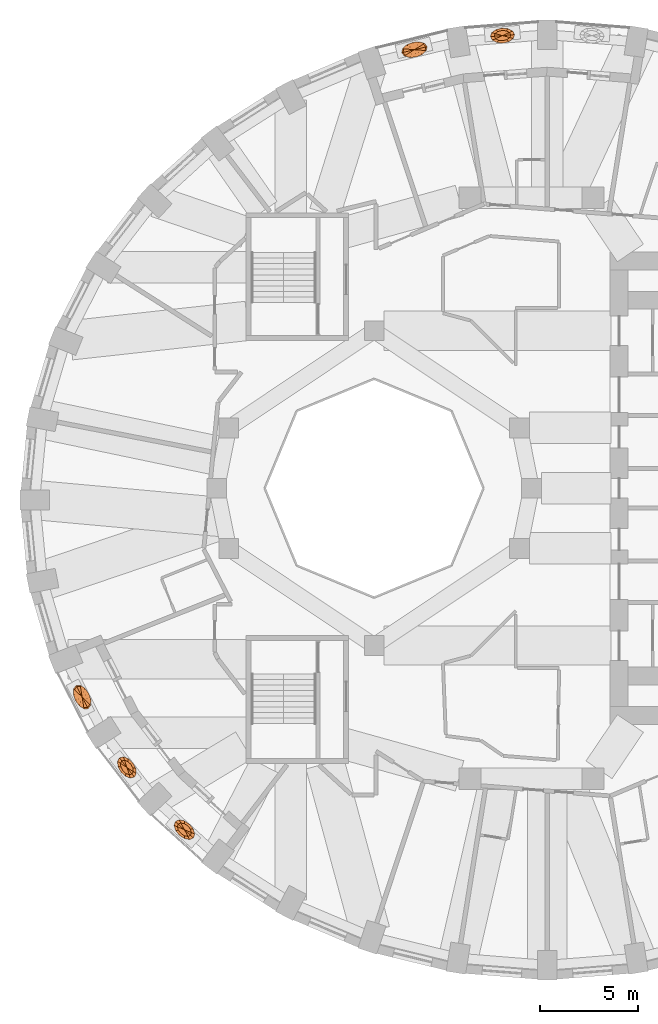
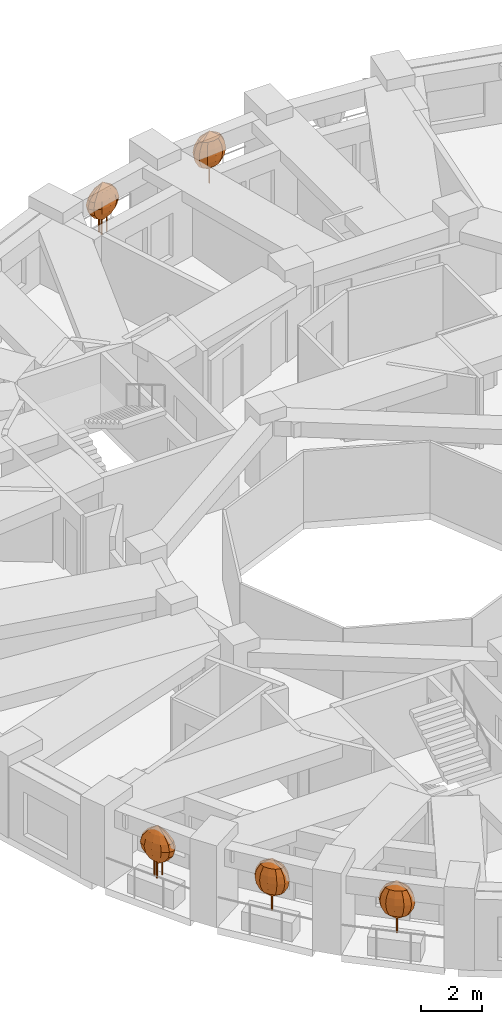
# One storey, part 11 of 12: 5 geographic elements.
"""IFC4 building model written with IfcOpenShell, lengths in metres."""

from ifc_helpers import new_model, si_unit, direction, frame, origin, place, context, subcontext, project, spatial, faceted_brep, material, constituent, constituent_set, type_object, element, save


model = new_model("IFC4")

# Units and contexts
model_context = context("Model", 3, precision=1e-05, world=origin(), true_north=direction((0.0, 1.0)))
body_context = subcontext(model_context, "Body", "Model", "MODEL_VIEW")
ifc_project = project(units=[si_unit("LENGTHUNIT", "METRE"), si_unit("AREAUNIT", "SQUARE_METRE"), si_unit("VOLUMEUNIT", "CUBIC_METRE"), si_unit("PLANEANGLEUNIT", "RADIAN"), si_unit("MASSUNIT", "GRAM", prefix="KILO")], contexts=[model_context])

# Site, building, storey
site_placement = place(None, origin())
site = spatial("IfcSite", under=ifc_project, at=site_placement, CompositionType="ELEMENT")
building_placement = place(site_placement, origin())
building = spatial("IfcBuilding", under=site, at=building_placement, Name="Taillehof Tower", CompositionType="ELEMENT")
storey_placement = place(building_placement, frame((0.0, 0.0, 131.800048828125)))
storey = spatial("IfcBuildingStorey", under=building, at=storey_placement, Name="L37", CompositionType="ELEMENT", Elevation=131.800048828125)

# Geographic elements
ifc_material_1 = material(Name="Tree bark", Category="timber")
ifc_constituent_1 = constituent(ifc_material_1, Name="Trunk", Category="timber")
ifc_material_2 = material(Name="Tree foliage")
ifc_constituent_2 = constituent(ifc_material_2, Name="Crown")
ifc_constituent_set_1 = constituent_set(constituents=[ifc_constituent_1, ifc_constituent_2], Name="Tree TR1 Columnar hornbeam")
geographic_element_type_1 = type_object("IfcGeographicElementType", Name="Tree TR1 Columnar hornbeam", PredefinedType="USERDEFINED", material=ifc_constituent_set_1)
geographic_element_1_placement = place(storey_placement, frame((-1.472900390625, 23.007568359375, 0.75)))
element("IfcGeographicElement", 1, at=geographic_element_1_placement, inside=storey, type_object=geographic_element_type_1, Name="Tree TR1 Columnar hornbeam", ObjectType="TREE", PredefinedType="USERDEFINED", context=body_context, shape_type="Brep", body=[
    faceted_brep([(0.030029296875, 0.0, 0.0), (0.021240234375, 0.021240234375, 0.0), (0.021240234375, 0.021240234375, 1.092529296875), (0.030029296875, 0.0, 1.092529296875), (0.0, 0.030029296875, 0.0), (0.0, 0.030029296875, 1.092529296875), (-0.021240234375, 0.021240234375, 0.0), (-0.021240234375, 0.021240234375, 1.092529296875), (-0.030029296875, 0.0, 0.0), (-0.030029296875, 0.0, 1.092529296875), (-0.021240234375, -0.021240234375, 0.0), (-0.021240234375, -0.021240234375, 1.092529296875), (0.0, -0.030029296875, 0.0), (0.0, -0.030029296875, 1.092529296875), (0.021240234375, -0.021240234375, 0.0), (0.021240234375, -0.021240234375, 1.092529296875)], [[[0, 1, 2, 3]], [[1, 4, 5, 2]], [[4, 6, 7, 5]], [[6, 8, 9, 7]], [[8, 10, 11, 9]], [[10, 12, 13, 11]], [[12, 14, 15, 13]], [[14, 0, 3, 15]], [[14, 12, 10, 8, 6, 4, 1, 0]], [[3, 2, 5, 7, 9, 11, 13, 15]]]),
    faceted_brep([(0.0, 0.0, 0.550048828125), (-0.353759765625, -0.158203125, 0.808349609375), (-0.42041015625, -0.033447265625, 0.808349609375), (-0.1923828125, -0.24072265625, 0.808349609375), (0.0205078125, -0.2587890625, 0.808349609375), (0.22802734375, -0.207275390625, 0.808349609375), (0.374267578125, -0.100341796875, 0.808349609375), (0.42041015625, 0.033447265625, 0.808349609375), (0.353759765625, 0.158203125, 0.808349609375), (0.1923828125, 0.24072265625, 0.808349609375), (-0.0205078125, 0.2587890625, 0.808349609375), (-0.22802734375, 0.207275390625, 0.808349609375), (-0.374267578125, 0.100341796875, 0.808349609375), (-0.478759765625, -0.214111328125, 1.066650390625), (-0.56884765625, -0.045166015625, 1.066650390625), (-0.26025390625, -0.32568359375, 1.066650390625), (0.02783203125, -0.35009765625, 1.066650390625), (0.308349609375, -0.280517578125, 1.066650390625), (0.50634765625, -0.135986328125, 1.066650390625), (0.56884765625, 0.045166015625, 1.066650390625), (0.478759765625, 0.214111328125, 1.066650390625), (0.26025390625, 0.32568359375, 1.066650390625), (-0.02783203125, 0.35009765625, 1.066650390625), (-0.308349609375, 0.280517578125, 1.066650390625), (-0.50634765625, 0.135986328125, 1.066650390625), (-0.51806640625, -0.231689453125, 1.324951171875), (-0.615478515625, -0.048828125, 1.324951171875), (-0.28173828125, -0.3525390625, 1.324951171875), (0.030029296875, -0.37890625, 1.324951171875), (0.333740234375, -0.3037109375, 1.324951171875), (0.548095703125, -0.14697265625, 1.324951171875), (0.615478515625, 0.048828125, 1.324951171875), (0.51806640625, 0.231689453125, 1.324951171875), (0.28173828125, 0.3525390625, 1.324951171875), (-0.030029296875, 0.37890625, 1.324951171875), (-0.333740234375, 0.3037109375, 1.324951171875), (-0.548095703125, 0.14697265625, 1.324951171875), (-0.478759765625, -0.214111328125, 1.583251953125), (-0.56884765625, -0.045166015625, 1.583251953125), (-0.26025390625, -0.32568359375, 1.583251953125), (0.02783203125, -0.35009765625, 1.583251953125), (0.308349609375, -0.280517578125, 1.583251953125), (0.50634765625, -0.135986328125, 1.583251953125), (0.56884765625, 0.045166015625, 1.583251953125), (0.478759765625, 0.214111328125, 1.583251953125), (0.26025390625, 0.32568359375, 1.583251953125), (-0.02783203125, 0.35009765625, 1.583251953125), (-0.308349609375, 0.280517578125, 1.583251953125), (-0.50634765625, 0.135986328125, 1.583251953125), (-0.353759765625, -0.158203125, 1.841552734375), (-0.42041015625, -0.033447265625, 1.841552734375), (-0.1923828125, -0.24072265625, 1.841552734375), (0.0205078125, -0.2587890625, 1.841552734375), (0.22802734375, -0.207275390625, 1.841552734375), (0.374267578125, -0.100341796875, 1.841552734375), (0.42041015625, 0.033447265625, 1.841552734375), (0.353759765625, 0.158203125, 1.841552734375), (0.1923828125, 0.24072265625, 1.841552734375), (-0.0205078125, 0.2587890625, 1.841552734375), (-0.22802734375, 0.207275390625, 1.841552734375), (-0.374267578125, 0.100341796875, 1.841552734375), (0.0, 0.0, 2.10009765625)], [[[0, 1, 2]], [[0, 3, 1]], [[0, 4, 3]], [[0, 5, 4]], [[0, 6, 5]], [[0, 7, 6]], [[0, 8, 7]], [[0, 9, 8]], [[0, 10, 9]], [[0, 11, 10]], [[0, 12, 11]], [[0, 2, 12]], [[2, 1, 13, 14]], [[1, 3, 15, 13]], [[3, 4, 16, 15]], [[4, 5, 17, 16]], [[5, 6, 18, 17]], [[6, 7, 19, 18]], [[7, 8, 20, 19]], [[8, 9, 21, 20]], [[9, 10, 22, 21]], [[10, 11, 23, 22]], [[11, 12, 24, 23]], [[12, 2, 14, 24]], [[14, 13, 25, 26]], [[13, 15, 27, 25]], [[15, 16, 28, 27]], [[16, 17, 29, 28]], [[17, 18, 30, 29]], [[18, 19, 31, 30]], [[19, 20, 32, 31]], [[20, 21, 33, 32]], [[21, 22, 34, 33]], [[22, 23, 35, 34]], [[23, 24, 36, 35]], [[24, 14, 26, 36]], [[26, 25, 37, 38]], [[25, 27, 39, 37]], [[27, 28, 40, 39]], [[28, 29, 41, 40]], [[29, 30, 42, 41]], [[30, 31, 43, 42]], [[31, 32, 44, 43]], [[32, 33, 45, 44]], [[33, 34, 46, 45]], [[34, 35, 47, 46]], [[35, 36, 48, 47]], [[36, 26, 38, 48]], [[38, 37, 49, 50]], [[37, 39, 51, 49]], [[39, 40, 52, 51]], [[40, 41, 53, 52]], [[41, 42, 54, 53]], [[42, 43, 55, 54]], [[43, 44, 56, 55]], [[44, 45, 57, 56]], [[45, 46, 58, 57]], [[46, 47, 59, 58]], [[47, 48, 60, 59]], [[48, 38, 50, 60]], [[50, 49, 61]], [[49, 51, 61]], [[51, 52, 61]], [[52, 53, 61]], [[53, 54, 61]], [[54, 55, 61]], [[55, 56, 61]], [[56, 57, 61]], [[57, 58, 61]], [[58, 59, 61]], [[59, 60, 61]], [[60, 50, 61]]]),
])
geographic_element_2_placement = place(storey_placement, frame((-20.56689453125, -14.196044921875, 0.75)))
element("IfcGeographicElement", 2, at=geographic_element_2_placement, inside=storey, type_object=geographic_element_type_1, Name="Tree TR1 Columnar hornbeam", ObjectType="TREE", PredefinedType="USERDEFINED", context=body_context, shape_type="Brep", body=[
    faceted_brep([(0.030029296875, 0.0, 0.0), (0.021240234375, 0.021240234375, 0.0), (0.021240234375, 0.021240234375, 1.092529296875), (0.030029296875, 0.0, 1.092529296875), (0.0, 0.030029296875, 0.0), (0.0, 0.030029296875, 1.092529296875), (-0.021240234375, 0.021240234375, 0.0), (-0.021240234375, 0.021240234375, 1.092529296875), (-0.030029296875, 0.0, 0.0), (-0.030029296875, 0.0, 1.092529296875), (-0.021240234375, -0.021240234375, 0.0), (-0.021240234375, -0.021240234375, 1.092529296875), (0.0, -0.030029296875, 0.0), (0.0, -0.030029296875, 1.092529296875), (0.021240234375, -0.021240234375, 0.0), (0.021240234375, -0.021240234375, 1.092529296875)], [[[0, 1, 2, 3]], [[1, 4, 5, 2]], [[4, 6, 7, 5]], [[6, 8, 9, 7]], [[8, 10, 11, 9]], [[10, 12, 13, 11]], [[12, 14, 15, 13]], [[14, 0, 3, 15]], [[14, 12, 10, 8, 6, 4, 1, 0]], [[3, 2, 5, 7, 9, 11, 13, 15]]]),
    faceted_brep([(0.0, 0.0, 0.550048828125), (0.325927734375, -0.2099609375, 0.808349609375), (0.257568359375, -0.333984375, 0.808349609375), (0.306884765625, -0.02978515625, 0.808349609375), (0.20556640625, 0.158447265625, 0.808349609375), (0.04931640625, 0.30419921875, 0.808349609375), (-0.120361328125, 0.368408203125, 0.808349609375), (-0.257568359375, 0.333984375, 0.808349609375), (-0.325927734375, 0.2099609375, 0.808349609375), (-0.306884765625, 0.02978515625, 0.808349609375), (-0.20556640625, -0.158447265625, 0.808349609375), (-0.04931640625, -0.30419921875, 0.808349609375), (0.120361328125, -0.368408203125, 0.808349609375), (0.440673828125, -0.2841796875, 1.066650390625), (0.348388671875, -0.451904296875, 1.066650390625), (0.4150390625, -0.040283203125, 1.066650390625), (0.278076171875, 0.21435546875, 1.066650390625), (0.066650390625, 0.41162109375, 1.066650390625), (-0.16259765625, 0.49853515625, 1.066650390625), (-0.348388671875, 0.451904296875, 1.066650390625), (-0.440673828125, 0.2841796875, 1.066650390625), (-0.4150390625, 0.040283203125, 1.066650390625), (-0.278076171875, -0.21435546875, 1.066650390625), (-0.066650390625, -0.41162109375, 1.066650390625), (0.16259765625, -0.49853515625, 1.066650390625), (0.47705078125, -0.307373046875, 1.324951171875), (0.377197265625, -0.489013671875, 1.324951171875), (0.44921875, -0.04345703125, 1.324951171875), (0.301025390625, 0.23193359375, 1.324951171875), (0.072021484375, 0.445556640625, 1.324951171875), (-0.176025390625, 0.53955078125, 1.324951171875), (-0.377197265625, 0.489013671875, 1.324951171875), (-0.47705078125, 0.307373046875, 1.324951171875), (-0.44921875, 0.04345703125, 1.324951171875), (-0.301025390625, -0.23193359375, 1.324951171875), (-0.072021484375, -0.445556640625, 1.324951171875), (0.176025390625, -0.53955078125, 1.324951171875), (0.440673828125, -0.2841796875, 1.583251953125), (0.348388671875, -0.451904296875, 1.583251953125), (0.4150390625, -0.040283203125, 1.583251953125), (0.278076171875, 0.21435546875, 1.583251953125), (0.066650390625, 0.41162109375, 1.583251953125), (-0.16259765625, 0.49853515625, 1.583251953125), (-0.348388671875, 0.451904296875, 1.583251953125), (-0.440673828125, 0.2841796875, 1.583251953125), (-0.4150390625, 0.040283203125, 1.583251953125), (-0.278076171875, -0.21435546875, 1.583251953125), (-0.066650390625, -0.41162109375, 1.583251953125), (0.16259765625, -0.49853515625, 1.583251953125), (0.325927734375, -0.2099609375, 1.841552734375), (0.257568359375, -0.333984375, 1.841552734375), (0.306884765625, -0.02978515625, 1.841552734375), (0.20556640625, 0.158447265625, 1.841552734375), (0.04931640625, 0.30419921875, 1.841552734375), (-0.120361328125, 0.368408203125, 1.841552734375), (-0.257568359375, 0.333984375, 1.841552734375), (-0.325927734375, 0.2099609375, 1.841552734375), (-0.306884765625, 0.02978515625, 1.841552734375), (-0.20556640625, -0.158447265625, 1.841552734375), (-0.04931640625, -0.30419921875, 1.841552734375), (0.120361328125, -0.368408203125, 1.841552734375), (0.0, 0.0, 2.10009765625)], [[[0, 1, 2]], [[0, 3, 1]], [[0, 4, 3]], [[0, 5, 4]], [[0, 6, 5]], [[0, 7, 6]], [[0, 8, 7]], [[0, 9, 8]], [[0, 10, 9]], [[0, 11, 10]], [[0, 12, 11]], [[0, 2, 12]], [[2, 1, 13, 14]], [[1, 3, 15, 13]], [[3, 4, 16, 15]], [[4, 5, 17, 16]], [[5, 6, 18, 17]], [[6, 7, 19, 18]], [[7, 8, 20, 19]], [[8, 9, 21, 20]], [[9, 10, 22, 21]], [[10, 11, 23, 22]], [[11, 12, 24, 23]], [[12, 2, 14, 24]], [[14, 13, 25, 26]], [[13, 15, 27, 25]], [[15, 16, 28, 27]], [[16, 17, 29, 28]], [[17, 18, 30, 29]], [[18, 19, 31, 30]], [[19, 20, 32, 31]], [[20, 21, 33, 32]], [[21, 22, 34, 33]], [[22, 23, 35, 34]], [[23, 24, 36, 35]], [[24, 14, 26, 36]], [[26, 25, 37, 38]], [[25, 27, 39, 37]], [[27, 28, 40, 39]], [[28, 29, 41, 40]], [[29, 30, 42, 41]], [[30, 31, 43, 42]], [[31, 32, 44, 43]], [[32, 33, 45, 44]], [[33, 34, 46, 45]], [[34, 35, 47, 46]], [[35, 36, 48, 47]], [[36, 26, 38, 48]], [[38, 37, 49, 50]], [[37, 39, 51, 49]], [[39, 40, 52, 51]], [[40, 41, 53, 52]], [[41, 42, 54, 53]], [[42, 43, 55, 54]], [[43, 44, 56, 55]], [[44, 45, 57, 56]], [[45, 46, 58, 57]], [[46, 47, 59, 58]], [[47, 48, 60, 59]], [[48, 38, 50, 60]], [[50, 49, 61]], [[49, 51, 61]], [[51, 52, 61]], [[52, 53, 61]], [[53, 54, 61]], [[54, 55, 61]], [[55, 56, 61]], [[56, 57, 61]], [[57, 58, 61]], [[58, 59, 61]], [[59, 60, 61]], [[60, 50, 61]]]),
])
geographic_element_3_placement = place(storey_placement, frame((-17.643310546875, -17.360107421875, 0.75)))
element("IfcGeographicElement", 3, at=geographic_element_3_placement, inside=storey, type_object=geographic_element_type_1, Name="Tree TR1 Columnar hornbeam", ObjectType="TREE", PredefinedType="USERDEFINED", context=body_context, shape_type="Brep", body=[
    faceted_brep([(0.030029296875, 0.0, 0.0), (0.021240234375, 0.021240234375, 0.0), (0.021240234375, 0.021240234375, 1.092529296875), (0.030029296875, 0.0, 1.092529296875), (0.0, 0.030029296875, 0.0), (0.0, 0.030029296875, 1.092529296875), (-0.021240234375, 0.021240234375, 0.0), (-0.021240234375, 0.021240234375, 1.092529296875), (-0.030029296875, 0.0, 0.0), (-0.030029296875, 0.0, 1.092529296875), (-0.021240234375, -0.021240234375, 0.0), (-0.021240234375, -0.021240234375, 1.092529296875), (0.0, -0.030029296875, 0.0), (0.0, -0.030029296875, 1.092529296875), (0.021240234375, -0.021240234375, 0.0), (0.021240234375, -0.021240234375, 1.092529296875)], [[[0, 1, 2, 3]], [[1, 4, 5, 2]], [[4, 6, 7, 5]], [[6, 8, 9, 7]], [[8, 10, 11, 9]], [[10, 12, 13, 11]], [[12, 14, 15, 13]], [[14, 0, 3, 15]], [[14, 12, 10, 8, 6, 4, 1, 0]], [[3, 2, 5, 7, 9, 11, 13, 15]]]),
    faceted_brep([(0.0, 0.0, 0.550048828125), (0.357666015625, -0.1494140625, 0.808349609375), (0.312255859375, -0.283447265625, 0.808349609375), (0.30712890625, 0.024658203125, 0.808349609375), (0.174560546875, 0.192138671875, 0.808349609375), (-0.005126953125, 0.30810546875, 0.808349609375), (-0.18310546875, 0.341552734375, 0.808349609375), (-0.312255859375, 0.283447265625, 0.808349609375), (-0.357666015625, 0.1494140625, 0.808349609375), (-0.30712890625, -0.024658203125, 0.808349609375), (-0.174560546875, -0.192138671875, 0.808349609375), (0.005126953125, -0.30810546875, 0.808349609375), (0.18310546875, -0.341552734375, 0.808349609375), (0.48388671875, -0.2021484375, 1.066650390625), (0.42236328125, -0.383544921875, 1.066650390625), (0.41552734375, 0.033447265625, 1.066650390625), (0.236083984375, 0.260009765625, 1.066650390625), (-0.0068359375, 0.4169921875, 1.066650390625), (-0.247802734375, 0.462158203125, 1.066650390625), (-0.42236328125, 0.383544921875, 1.066650390625), (-0.48388671875, 0.2021484375, 1.066650390625), (-0.41552734375, -0.033447265625, 1.066650390625), (-0.236083984375, -0.260009765625, 1.066650390625), (0.0068359375, -0.4169921875, 1.066650390625), (0.247802734375, -0.462158203125, 1.066650390625), (0.523681640625, -0.21875, 1.324951171875), (0.457275390625, -0.4150390625, 1.324951171875), (0.44970703125, 0.0361328125, 1.324951171875), (0.25537109375, 0.28125, 1.324951171875), (-0.00732421875, 0.451171875, 1.324951171875), (-0.268310546875, 0.500244140625, 1.324951171875), (-0.457275390625, 0.4150390625, 1.324951171875), (-0.523681640625, 0.21875, 1.324951171875), (-0.44970703125, -0.0361328125, 1.324951171875), (-0.25537109375, -0.28125, 1.324951171875), (0.00732421875, -0.451171875, 1.324951171875), (0.268310546875, -0.500244140625, 1.324951171875), (0.48388671875, -0.2021484375, 1.583251953125), (0.42236328125, -0.383544921875, 1.583251953125), (0.41552734375, 0.033447265625, 1.583251953125), (0.236083984375, 0.260009765625, 1.583251953125), (-0.0068359375, 0.4169921875, 1.583251953125), (-0.247802734375, 0.462158203125, 1.583251953125), (-0.42236328125, 0.383544921875, 1.583251953125), (-0.48388671875, 0.2021484375, 1.583251953125), (-0.41552734375, -0.033447265625, 1.583251953125), (-0.236083984375, -0.260009765625, 1.583251953125), (0.0068359375, -0.4169921875, 1.583251953125), (0.247802734375, -0.462158203125, 1.583251953125), (0.357666015625, -0.1494140625, 1.841552734375), (0.312255859375, -0.283447265625, 1.841552734375), (0.30712890625, 0.024658203125, 1.841552734375), (0.174560546875, 0.192138671875, 1.841552734375), (-0.005126953125, 0.30810546875, 1.841552734375), (-0.18310546875, 0.341552734375, 1.841552734375), (-0.312255859375, 0.283447265625, 1.841552734375), (-0.357666015625, 0.1494140625, 1.841552734375), (-0.30712890625, -0.024658203125, 1.841552734375), (-0.174560546875, -0.192138671875, 1.841552734375), (0.005126953125, -0.30810546875, 1.841552734375), (0.18310546875, -0.341552734375, 1.841552734375), (0.0, 0.0, 2.10009765625)], [[[0, 1, 2]], [[0, 3, 1]], [[0, 4, 3]], [[0, 5, 4]], [[0, 6, 5]], [[0, 7, 6]], [[0, 8, 7]], [[0, 9, 8]], [[0, 10, 9]], [[0, 11, 10]], [[0, 12, 11]], [[0, 2, 12]], [[2, 1, 13, 14]], [[1, 3, 15, 13]], [[3, 4, 16, 15]], [[4, 5, 17, 16]], [[5, 6, 18, 17]], [[6, 7, 19, 18]], [[7, 8, 20, 19]], [[8, 9, 21, 20]], [[9, 10, 22, 21]], [[10, 11, 23, 22]], [[11, 12, 24, 23]], [[12, 2, 14, 24]], [[14, 13, 25, 26]], [[13, 15, 27, 25]], [[15, 16, 28, 27]], [[16, 17, 29, 28]], [[17, 18, 30, 29]], [[18, 19, 31, 30]], [[19, 20, 32, 31]], [[20, 21, 33, 32]], [[21, 22, 34, 33]], [[22, 23, 35, 34]], [[23, 24, 36, 35]], [[24, 14, 26, 36]], [[26, 25, 37, 38]], [[25, 27, 39, 37]], [[27, 28, 40, 39]], [[28, 29, 41, 40]], [[29, 30, 42, 41]], [[30, 31, 43, 42]], [[31, 32, 44, 43]], [[32, 33, 45, 44]], [[33, 34, 46, 45]], [[34, 35, 47, 46]], [[35, 36, 48, 47]], [[36, 26, 38, 48]], [[38, 37, 49, 50]], [[37, 39, 51, 49]], [[39, 40, 52, 51]], [[40, 41, 53, 52]], [[41, 42, 54, 53]], [[42, 43, 55, 54]], [[43, 44, 56, 55]], [[44, 45, 57, 56]], [[45, 46, 58, 57]], [[46, 47, 59, 58]], [[47, 48, 60, 59]], [[48, 38, 50, 60]], [[50, 49, 61]], [[49, 51, 61]], [[51, 52, 61]], [[52, 53, 61]], [[53, 54, 61]], [[54, 55, 61]], [[55, 56, 61]], [[56, 57, 61]], [[57, 58, 61]], [[58, 59, 61]], [[59, 60, 61]], [[60, 50, 61]]]),
])
ifc_material_3 = material(Name="Tree bark", Category="timber")
ifc_constituent_3 = constituent(ifc_material_3, Name="Trunk", Category="timber")
ifc_material_4 = material(Name="Tree foliage")
ifc_constituent_4 = constituent(ifc_material_4, Name="Crown")
ifc_constituent_set_2 = constituent_set(constituents=[ifc_constituent_3, ifc_constituent_4], Name="Tree TR3 Multi-stem serviceberry")
geographic_element_type_2 = type_object("IfcGeographicElementType", Name="Tree TR3 Multi-stem serviceberry", PredefinedType="USERDEFINED", material=ifc_constituent_set_2)
geographic_element_4_placement = place(storey_placement, frame((-5.94970703125, 22.290771484375, 0.75)))
element("IfcGeographicElement", 4, at=geographic_element_4_placement, inside=storey, type_object=geographic_element_type_2, Name="Tree TR3 Multi-stem serviceberry", ObjectType="TREE", PredefinedType="USERDEFINED", context=body_context, shape_type="Brep", body=[
    faceted_brep([(0.195068359375, 0.0, 0.0), (0.186767578125, 0.0205078125, 0.0), (0.186767578125, 0.0205078125, 1.04248046875), (0.195068359375, 0.0, 1.04248046875), (0.166259765625, 0.02880859375, 0.0), (0.166259765625, 0.02880859375, 1.04248046875), (0.145751953125, 0.0205078125, 0.0), (0.145751953125, 0.0205078125, 1.04248046875), (0.137451171875, 0.0, 0.0), (0.137451171875, 0.0, 1.04248046875), (0.145751953125, -0.0205078125, 0.0), (0.145751953125, -0.0205078125, 1.04248046875), (0.166259765625, -0.02880859375, 0.0), (0.166259765625, -0.02880859375, 1.04248046875), (0.186767578125, -0.0205078125, 0.0), (0.186767578125, -0.0205078125, 1.04248046875)], [[[0, 1, 2, 3]], [[1, 4, 5, 2]], [[4, 6, 7, 5]], [[6, 8, 9, 7]], [[8, 10, 11, 9]], [[10, 12, 13, 11]], [[12, 14, 15, 13]], [[14, 0, 3, 15]], [[14, 12, 10, 8, 6, 4, 1, 0]], [[3, 2, 5, 7, 9, 11, 13, 15]]]),
    faceted_brep([(-0.05419921875, 0.082275390625, 0.0), (-0.062744140625, 0.102783203125, 0.0), (-0.062744140625, 0.102783203125, 1.04248046875), (-0.05419921875, 0.082275390625, 1.04248046875), (-0.0830078125, 0.111083984375, 0.0), (-0.0830078125, 0.111083984375, 1.04248046875), (-0.103515625, 0.102783203125, 0.0), (-0.103515625, 0.102783203125, 1.04248046875), (-0.112060546875, 0.082275390625, 0.0), (-0.112060546875, 0.082275390625, 1.04248046875), (-0.103515625, 0.061767578125, 0.0), (-0.103515625, 0.061767578125, 1.04248046875), (-0.0830078125, 0.053466796875, 0.0), (-0.0830078125, 0.053466796875, 1.04248046875), (-0.062744140625, 0.061767578125, 0.0), (-0.062744140625, 0.061767578125, 1.04248046875)], [[[0, 1, 2, 3]], [[1, 4, 5, 2]], [[4, 6, 7, 5]], [[6, 8, 9, 7]], [[8, 10, 11, 9]], [[10, 12, 13, 11]], [[12, 14, 15, 13]], [[14, 0, 3, 15]], [[14, 12, 10, 8, 6, 4, 1, 0]], [[3, 2, 5, 7, 9, 11, 13, 15]]]),
    faceted_brep([(-0.05419921875, -0.082275390625, 0.0), (-0.062744140625, -0.061767578125, 0.0), (-0.062744140625, -0.061767578125, 1.04248046875), (-0.05419921875, -0.082275390625, 1.04248046875), (-0.0830078125, -0.053466796875, 0.0), (-0.0830078125, -0.053466796875, 1.04248046875), (-0.103515625, -0.061767578125, 0.0), (-0.103515625, -0.061767578125, 1.04248046875), (-0.112060546875, -0.082275390625, 0.0), (-0.112060546875, -0.082275390625, 1.04248046875), (-0.103515625, -0.102783203125, 0.0), (-0.103515625, -0.102783203125, 1.04248046875), (-0.0830078125, -0.111083984375, 0.0), (-0.0830078125, -0.111083984375, 1.04248046875), (-0.062744140625, -0.102783203125, 0.0), (-0.062744140625, -0.102783203125, 1.04248046875)], [[[0, 1, 2, 3]], [[1, 4, 5, 2]], [[4, 6, 7, 5]], [[6, 8, 9, 7]], [[8, 10, 11, 9]], [[10, 12, 13, 11]], [[12, 14, 15, 13]], [[14, 0, 3, 15]], [[14, 12, 10, 8, 6, 4, 1, 0]], [[3, 2, 5, 7, 9, 11, 13, 15]]]),
    faceted_brep([(0.0, 0.0, 0.5), (-0.295654296875, -0.184326171875, 0.75830078125), (-0.37109375, -0.09033203125, 0.75830078125), (-0.140869140625, -0.228759765625, 0.75830078125), (0.051513671875, -0.212158203125, 0.75830078125), (0.230224609375, -0.138427734375, 0.75830078125), (0.34716796875, -0.02783203125, 0.75830078125), (0.37109375, 0.09033203125, 0.75830078125), (0.295654296875, 0.184326171875, 0.75830078125), (0.140869140625, 0.228759765625, 0.75830078125), (-0.051513671875, 0.212158203125, 0.75830078125), (-0.230224609375, 0.138427734375, 0.75830078125), (-0.34716796875, 0.02783203125, 0.75830078125), (-0.458740234375, -0.285888671875, 1.0166015625), (-0.575927734375, -0.14013671875, 1.0166015625), (-0.218505859375, -0.35498046875, 1.0166015625), (0.080078125, -0.3291015625, 1.0166015625), (0.357177734375, -0.21484375, 1.0166015625), (0.538818359375, -0.043212890625, 1.0166015625), (0.575927734375, 0.14013671875, 1.0166015625), (0.458740234375, 0.285888671875, 1.0166015625), (0.218505859375, 0.35498046875, 1.0166015625), (-0.080078125, 0.3291015625, 1.0166015625), (-0.357177734375, 0.21484375, 1.0166015625), (-0.538818359375, 0.043212890625, 1.0166015625), (-0.5146484375, -0.32080078125, 1.27490234375), (-0.646240234375, -0.1572265625, 1.27490234375), (-0.245361328125, -0.3984375, 1.27490234375), (0.08984375, -0.369140625, 1.27490234375), (0.40087890625, -0.2412109375, 1.27490234375), (0.6044921875, -0.048583984375, 1.27490234375), (0.646240234375, 0.1572265625, 1.27490234375), (0.5146484375, 0.32080078125, 1.27490234375), (0.245361328125, 0.3984375, 1.27490234375), (-0.08984375, 0.369140625, 1.27490234375), (-0.40087890625, 0.2412109375, 1.27490234375), (-0.6044921875, 0.048583984375, 1.27490234375), (-0.458740234375, -0.285888671875, 1.533447265625), (-0.575927734375, -0.14013671875, 1.533447265625), (-0.218505859375, -0.35498046875, 1.533447265625), (0.080078125, -0.3291015625, 1.533447265625), (0.357177734375, -0.21484375, 1.533447265625), (0.538818359375, -0.043212890625, 1.533447265625), (0.575927734375, 0.14013671875, 1.533447265625), (0.458740234375, 0.285888671875, 1.533447265625), (0.218505859375, 0.35498046875, 1.533447265625), (-0.080078125, 0.3291015625, 1.533447265625), (-0.357177734375, 0.21484375, 1.533447265625), (-0.538818359375, 0.043212890625, 1.533447265625), (-0.295654296875, -0.184326171875, 1.791748046875), (-0.37109375, -0.09033203125, 1.791748046875), (-0.140869140625, -0.228759765625, 1.791748046875), (0.051513671875, -0.212158203125, 1.791748046875), (0.230224609375, -0.138427734375, 1.791748046875), (0.34716796875, -0.02783203125, 1.791748046875), (0.37109375, 0.09033203125, 1.791748046875), (0.295654296875, 0.184326171875, 1.791748046875), (0.140869140625, 0.228759765625, 1.791748046875), (-0.051513671875, 0.212158203125, 1.791748046875), (-0.230224609375, 0.138427734375, 1.791748046875), (-0.34716796875, 0.02783203125, 1.791748046875), (0.0, 0.0, 2.050048828125)], [[[0, 1, 2]], [[0, 3, 1]], [[0, 4, 3]], [[0, 5, 4]], [[0, 6, 5]], [[0, 7, 6]], [[0, 8, 7]], [[0, 9, 8]], [[0, 10, 9]], [[0, 11, 10]], [[0, 12, 11]], [[0, 2, 12]], [[2, 1, 13, 14]], [[1, 3, 15, 13]], [[3, 4, 16, 15]], [[4, 5, 17, 16]], [[5, 6, 18, 17]], [[6, 7, 19, 18]], [[7, 8, 20, 19]], [[8, 9, 21, 20]], [[9, 10, 22, 21]], [[10, 11, 23, 22]], [[11, 12, 24, 23]], [[12, 2, 14, 24]], [[14, 13, 25, 26]], [[13, 15, 27, 25]], [[15, 16, 28, 27]], [[16, 17, 29, 28]], [[17, 18, 30, 29]], [[18, 19, 31, 30]], [[19, 20, 32, 31]], [[20, 21, 33, 32]], [[21, 22, 34, 33]], [[22, 23, 35, 34]], [[23, 24, 36, 35]], [[24, 14, 26, 36]], [[26, 25, 37, 38]], [[25, 27, 39, 37]], [[27, 28, 40, 39]], [[28, 29, 41, 40]], [[29, 30, 42, 41]], [[30, 31, 43, 42]], [[31, 32, 44, 43]], [[32, 33, 45, 44]], [[33, 34, 46, 45]], [[34, 35, 47, 46]], [[35, 36, 48, 47]], [[36, 26, 38, 48]], [[38, 37, 49, 50]], [[37, 39, 51, 49]], [[39, 40, 52, 51]], [[40, 41, 53, 52]], [[41, 42, 54, 53]], [[42, 43, 55, 54]], [[43, 44, 56, 55]], [[44, 45, 57, 56]], [[45, 46, 58, 57]], [[46, 47, 59, 58]], [[47, 48, 60, 59]], [[48, 38, 50, 60]], [[50, 49, 61]], [[49, 51, 61]], [[51, 52, 61]], [[52, 53, 61]], [[53, 54, 61]], [[54, 55, 61]], [[55, 56, 61]], [[56, 57, 61]], [[57, 58, 61]], [[58, 59, 61]], [[59, 60, 61]], [[60, 50, 61]]]),
])
geographic_element_5_placement = place(storey_placement, frame((-22.841796875, -10.618408203125, 0.75)))
element("IfcGeographicElement", 5, at=geographic_element_5_placement, inside=storey, type_object=geographic_element_type_2, Name="Tree TR3 Multi-stem serviceberry", ObjectType="TREE", PredefinedType="USERDEFINED", context=body_context, shape_type="Brep", body=[
    faceted_brep([(0.195068359375, 0.0, 0.0), (0.186767578125, 0.0205078125, 0.0), (0.186767578125, 0.0205078125, 1.04248046875), (0.195068359375, 0.0, 1.04248046875), (0.166259765625, 0.02880859375, 0.0), (0.166259765625, 0.02880859375, 1.04248046875), (0.145751953125, 0.0205078125, 0.0), (0.145751953125, 0.0205078125, 1.04248046875), (0.137451171875, 0.0, 0.0), (0.137451171875, 0.0, 1.04248046875), (0.145751953125, -0.0205078125, 0.0), (0.145751953125, -0.0205078125, 1.04248046875), (0.166259765625, -0.02880859375, 0.0), (0.166259765625, -0.02880859375, 1.04248046875), (0.186767578125, -0.0205078125, 0.0), (0.186767578125, -0.0205078125, 1.04248046875)], [[[0, 1, 2, 3]], [[1, 4, 5, 2]], [[4, 6, 7, 5]], [[6, 8, 9, 7]], [[8, 10, 11, 9]], [[10, 12, 13, 11]], [[12, 14, 15, 13]], [[14, 0, 3, 15]], [[14, 12, 10, 8, 6, 4, 1, 0]], [[3, 2, 5, 7, 9, 11, 13, 15]]]),
    faceted_brep([(-0.05419921875, 0.082275390625, 0.0), (-0.062744140625, 0.102783203125, 0.0), (-0.062744140625, 0.102783203125, 1.04248046875), (-0.05419921875, 0.082275390625, 1.04248046875), (-0.0830078125, 0.111083984375, 0.0), (-0.0830078125, 0.111083984375, 1.04248046875), (-0.103515625, 0.102783203125, 0.0), (-0.103515625, 0.102783203125, 1.04248046875), (-0.112060546875, 0.082275390625, 0.0), (-0.112060546875, 0.082275390625, 1.04248046875), (-0.103515625, 0.061767578125, 0.0), (-0.103515625, 0.061767578125, 1.04248046875), (-0.0830078125, 0.053466796875, 0.0), (-0.0830078125, 0.053466796875, 1.04248046875), (-0.062744140625, 0.061767578125, 0.0), (-0.062744140625, 0.061767578125, 1.04248046875)], [[[0, 1, 2, 3]], [[1, 4, 5, 2]], [[4, 6, 7, 5]], [[6, 8, 9, 7]], [[8, 10, 11, 9]], [[10, 12, 13, 11]], [[12, 14, 15, 13]], [[14, 0, 3, 15]], [[14, 12, 10, 8, 6, 4, 1, 0]], [[3, 2, 5, 7, 9, 11, 13, 15]]]),
    faceted_brep([(-0.05419921875, -0.082275390625, 0.0), (-0.062744140625, -0.061767578125, 0.0), (-0.062744140625, -0.061767578125, 1.04248046875), (-0.05419921875, -0.082275390625, 1.04248046875), (-0.0830078125, -0.053466796875, 0.0), (-0.0830078125, -0.053466796875, 1.04248046875), (-0.103515625, -0.061767578125, 0.0), (-0.103515625, -0.061767578125, 1.04248046875), (-0.112060546875, -0.082275390625, 0.0), (-0.112060546875, -0.082275390625, 1.04248046875), (-0.103515625, -0.102783203125, 0.0), (-0.103515625, -0.102783203125, 1.04248046875), (-0.0830078125, -0.111083984375, 0.0), (-0.0830078125, -0.111083984375, 1.04248046875), (-0.062744140625, -0.102783203125, 0.0), (-0.062744140625, -0.102783203125, 1.04248046875)], [[[0, 1, 2, 3]], [[1, 4, 5, 2]], [[4, 6, 7, 5]], [[6, 8, 9, 7]], [[8, 10, 11, 9]], [[10, 12, 13, 11]], [[12, 14, 15, 13]], [[14, 0, 3, 15]], [[14, 12, 10, 8, 6, 4, 1, 0]], [[3, 2, 5, 7, 9, 11, 13, 15]]]),
    faceted_brep([(0.0, 0.0, 0.5), (0.248291015625, -0.244384765625, 0.75830078125), (0.174560546875, -0.33984375, 0.75830078125), (0.25537109375, -0.08349609375, 0.75830078125), (0.194091796875, 0.099609375, 0.75830078125), (0.080810546875, 0.25634765625, 0.75830078125), (-0.053955078125, 0.343994140625, 0.75830078125), (-0.174560546875, 0.33984375, 0.75830078125), (-0.248291015625, 0.244384765625, 0.75830078125), (-0.25537109375, 0.08349609375, 0.75830078125), (-0.194091796875, -0.099609375, 0.75830078125), (-0.080810546875, -0.25634765625, 0.75830078125), (0.053955078125, -0.343994140625, 0.75830078125), (0.38525390625, -0.379150390625, 1.0166015625), (0.270751953125, -0.52734375, 1.0166015625), (0.396240234375, -0.129638671875, 1.0166015625), (0.30126953125, 0.15478515625, 1.0166015625), (0.12548828125, 0.397705078125, 1.0166015625), (-0.083740234375, 0.533935546875, 1.0166015625), (-0.270751953125, 0.52734375, 1.0166015625), (-0.38525390625, 0.379150390625, 1.0166015625), (-0.396240234375, 0.129638671875, 1.0166015625), (-0.30126953125, -0.15478515625, 1.0166015625), (-0.12548828125, -0.397705078125, 1.0166015625), (0.083740234375, -0.533935546875, 1.0166015625), (0.43212890625, -0.425537109375, 1.27490234375), (0.3037109375, -0.591552734375, 1.27490234375), (0.444580078125, -0.1455078125, 1.27490234375), (0.338134765625, 0.173583984375, 1.27490234375), (0.140869140625, 0.446044921875, 1.27490234375), (-0.093994140625, 0.59912109375, 1.27490234375), (-0.3037109375, 0.591552734375, 1.27490234375), (-0.43212890625, 0.425537109375, 1.27490234375), (-0.444580078125, 0.1455078125, 1.27490234375), (-0.338134765625, -0.173583984375, 1.27490234375), (-0.140869140625, -0.446044921875, 1.27490234375), (0.093994140625, -0.59912109375, 1.27490234375), (0.38525390625, -0.379150390625, 1.533447265625), (0.270751953125, -0.52734375, 1.533447265625), (0.396240234375, -0.129638671875, 1.533447265625), (0.30126953125, 0.15478515625, 1.533447265625), (0.12548828125, 0.397705078125, 1.533447265625), (-0.083740234375, 0.533935546875, 1.533447265625), (-0.270751953125, 0.52734375, 1.533447265625), (-0.38525390625, 0.379150390625, 1.533447265625), (-0.396240234375, 0.129638671875, 1.533447265625), (-0.30126953125, -0.15478515625, 1.533447265625), (-0.12548828125, -0.397705078125, 1.533447265625), (0.083740234375, -0.533935546875, 1.533447265625), (0.248291015625, -0.244384765625, 1.791748046875), (0.174560546875, -0.33984375, 1.791748046875), (0.25537109375, -0.08349609375, 1.791748046875), (0.194091796875, 0.099609375, 1.791748046875), (0.080810546875, 0.25634765625, 1.791748046875), (-0.053955078125, 0.343994140625, 1.791748046875), (-0.174560546875, 0.33984375, 1.791748046875), (-0.248291015625, 0.244384765625, 1.791748046875), (-0.25537109375, 0.08349609375, 1.791748046875), (-0.194091796875, -0.099609375, 1.791748046875), (-0.080810546875, -0.25634765625, 1.791748046875), (0.053955078125, -0.343994140625, 1.791748046875), (0.0, 0.0, 2.050048828125)], [[[0, 1, 2]], [[0, 3, 1]], [[0, 4, 3]], [[0, 5, 4]], [[0, 6, 5]], [[0, 7, 6]], [[0, 8, 7]], [[0, 9, 8]], [[0, 10, 9]], [[0, 11, 10]], [[0, 12, 11]], [[0, 2, 12]], [[2, 1, 13, 14]], [[1, 3, 15, 13]], [[3, 4, 16, 15]], [[4, 5, 17, 16]], [[5, 6, 18, 17]], [[6, 7, 19, 18]], [[7, 8, 20, 19]], [[8, 9, 21, 20]], [[9, 10, 22, 21]], [[10, 11, 23, 22]], [[11, 12, 24, 23]], [[12, 2, 14, 24]], [[14, 13, 25, 26]], [[13, 15, 27, 25]], [[15, 16, 28, 27]], [[16, 17, 29, 28]], [[17, 18, 30, 29]], [[18, 19, 31, 30]], [[19, 20, 32, 31]], [[20, 21, 33, 32]], [[21, 22, 34, 33]], [[22, 23, 35, 34]], [[23, 24, 36, 35]], [[24, 14, 26, 36]], [[26, 25, 37, 38]], [[25, 27, 39, 37]], [[27, 28, 40, 39]], [[28, 29, 41, 40]], [[29, 30, 42, 41]], [[30, 31, 43, 42]], [[31, 32, 44, 43]], [[32, 33, 45, 44]], [[33, 34, 46, 45]], [[34, 35, 47, 46]], [[35, 36, 48, 47]], [[36, 26, 38, 48]], [[38, 37, 49, 50]], [[37, 39, 51, 49]], [[39, 40, 52, 51]], [[40, 41, 53, 52]], [[41, 42, 54, 53]], [[42, 43, 55, 54]], [[43, 44, 56, 55]], [[44, 45, 57, 56]], [[45, 46, 58, 57]], [[46, 47, 59, 58]], [[47, 48, 60, 59]], [[48, 38, 50, 60]], [[50, 49, 61]], [[49, 51, 61]], [[51, 52, 61]], [[52, 53, 61]], [[53, 54, 61]], [[54, 55, 61]], [[55, 56, 61]], [[56, 57, 61]], [[57, 58, 61]], [[58, 59, 61]], [[59, 60, 61]], [[60, 50, 61]]]),
])

save(model, "model.ifc")
